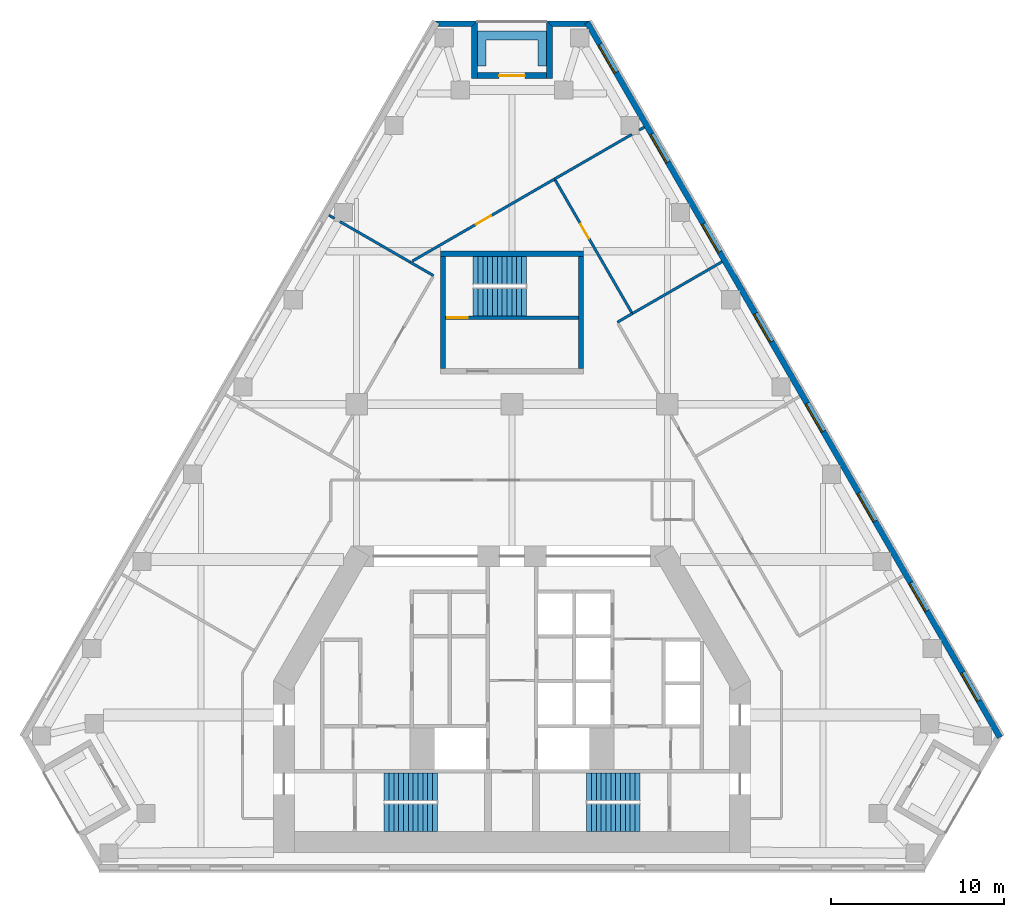
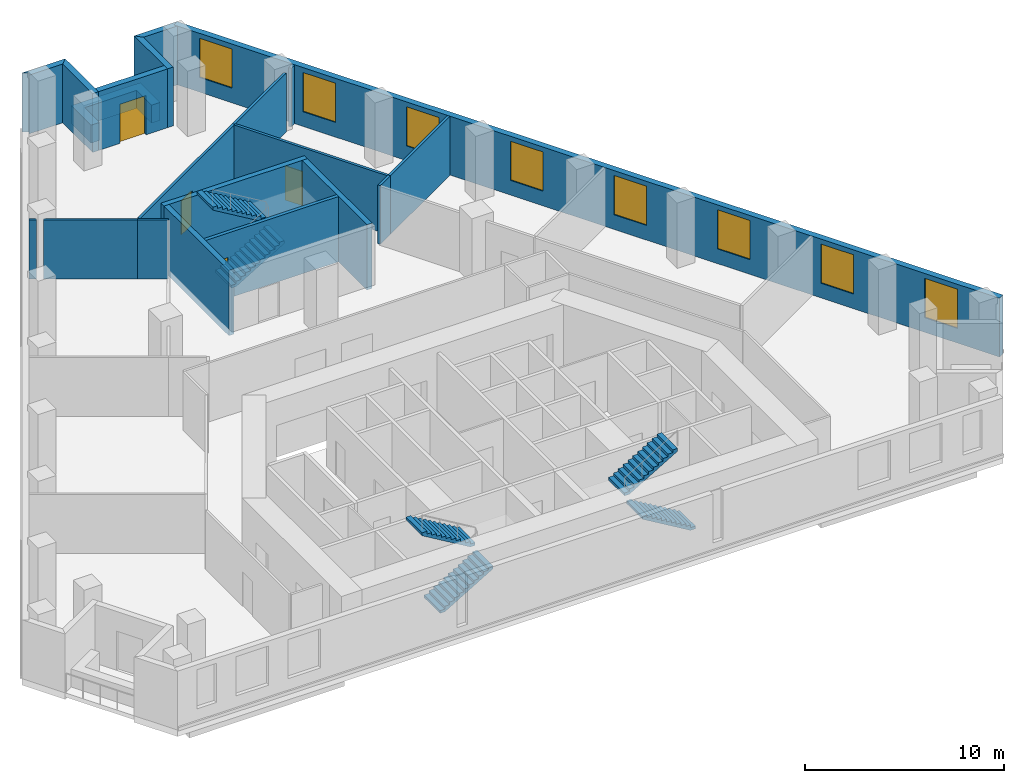
# One storey, part 6 of 7: 20 walls, 8 windows, 6 stair flights, 4 doors, 12 openings, 3 elements without a shape of their own.
"""IFC4 building model written with IfcOpenShell, lengths in metres."""

from ifc_helpers import new_model, si_unit, direction, frame, frame_2d, origin, place, context, subcontext, project, spatial, polyline, rectangle, outline, extrude, material, layer, layer_set, type_object, element, fill, aggregate, save


model = new_model("IFC4")

# Units and contexts
model_context = context("Model", 3, precision=1e-05, world=origin(), true_north=direction((0.0, 1.0)))
body_context = subcontext(model_context, "Body", "Model", "MODEL_VIEW")
ifc_project = project(units=[si_unit("LENGTHUNIT", "METRE"), si_unit("AREAUNIT", "SQUARE_METRE"), si_unit("VOLUMEUNIT", "CUBIC_METRE"), si_unit("PLANEANGLEUNIT", "RADIAN"), si_unit("MASSUNIT", "GRAM", prefix="KILO")], contexts=[model_context])

# Site, building, storey
site_placement = place(None, origin())
site = spatial("IfcSite", under=ifc_project, at=site_placement, CompositionType="ELEMENT")
building_placement = place(site_placement, origin())
building = spatial("IfcBuilding", under=site, at=building_placement, Name="Fogline Exchange Tower", CompositionType="ELEMENT")
storey_placement = place(building_placement, frame((0.0, 0.0, 166.89990234375)))
storey = spatial("IfcBuildingStorey", under=building, at=storey_placement, Name="L37", CompositionType="ELEMENT", Elevation=166.89990234375)

# Wall, opening, door
ifc_material_1 = material(Name="Concrete C40", Category="concrete")
ifc_layer_1 = layer(ifc_material_1, 0.199951171875)
ifc_layer_set_1 = layer_set([ifc_layer_1], Name="CW20R")
wall_type_1 = type_object("IfcWallType", Name="CW20R", PredefinedType="SOLIDWALL", material=ifc_layer_set_1)
wall_1_placement = place(storey_placement, frame((-3.85009765625, 32.007080078125, -0.39990234375), z_axis=(0.0, 0.0, 1.0), x_axis=(1.0, 0.0, 0.0)))
wall_1 = element("IfcWall", 1, at=wall_1_placement, inside=storey, type_object=wall_type_1, Name="Stair enclosure wall ST3", PredefinedType="SOLIDWALL", context=body_context, shape_type="SweptSolid", body=[
    extrude(rectangle(XDim=7.7001953125, YDim=0.199951171875, at=frame_2d((3.85009765625, 0.0))), origin(), (0.0, 0.0, 1.0), 4.0),
])
opening_1_placement = place(wall_1_placement, frame((0.10009765625, 0.0, 0.39990234375)))
opening_1 = element("IfcOpeningElement", 2, at=opening_1_placement, cuts=wall_1, Name="Opening T12-C024", PredefinedType="OPENING", context=body_context, shape_type="SweptSolid", body=[
    extrude(rectangle(XDim=1.199951171875, YDim=2.10009765625, at=frame_2d((0.60009765625, 1.050048828125))), frame((0.0, 0.10986328125, 0.0), z_axis=(0.0, -1.0, 0.0), x_axis=(1.0, 0.0, 0.0)), (0.0, 0.0, 1.0), 0.219970703125),
])
ifc_material_2 = material(Name="Steel and timber fire door", Category="steel")
door_type_1 = type_object("IfcDoorType", Name="D-ST1", OperationType="SINGLE_SWING_LEFT", PredefinedType="DOOR", material=ifc_material_2)
door_1_placement = place(opening_1_placement, origin())
door_1 = element("IfcDoor", 3, at=door_1_placement, inside=storey, type_object=door_type_1, Name="Stair door ST3", OperationType="SINGLE_SWING_LEFT", OverallHeight=2.10009765625, OverallWidth=1.199951171875, PredefinedType="DOOR", context=body_context, shape_type="SweptSolid", body=[
    extrude(rectangle(XDim=1.199951171875, YDim=2.10009765625, at=frame_2d((0.60009765625, 1.050048828125))), frame((0.0, 0.02490234375, 0.0), z_axis=(0.0, -1.0, 0.0), x_axis=(1.0, 0.0, 0.0)), (0.0, 0.0, 1.0), 0.050048828125),
])
fill(opening_1, door_1)

# Walls
ifc_layer_2 = layer(ifc_material_1, 0.300048828125)
ifc_layer_set_2 = layer_set([ifc_layer_2], Name="CW30")
wall_type_2 = type_object("IfcWallType", Name="CW30", PredefinedType="SOLIDWALL", material=ifc_layer_set_2)
wall_2_placement = place(storey_placement, frame((-4.14990234375, 35.70703125, -0.39990234375), z_axis=(0.0, 0.0, 1.0), x_axis=(1.0, 0.0, 0.0)))
element("IfcWall", 4, at=wall_2_placement, inside=storey, type_object=wall_type_2, Name="Stair enclosure wall ST3", PredefinedType="SOLIDWALL", context=body_context, shape_type="SweptSolid", body=[
    extrude(rectangle(XDim=8.2998046875, YDim=0.300048828125, at=frame_2d((4.14990234375, 0.0))), origin(), (0.0, 0.0, 1.0), 4.0),
])
for number, where, z_axis, x_axis, name in (
    (5, (-4.0, 29.056884765625, -0.39990234375), (0.0, 0.0, 1.0), (0.0, 1.0, 0.0), "Stair enclosure wall ST3"),
    (6, (4.0, 29.056884765625, -0.39990234375), (0.0, 0.0, 1.0), (0.0, 1.0, 0.0), "Stair enclosure wall ST3"),
):
    element("IfcWall", number, at=place(storey_placement, frame(where, z_axis=z_axis, x_axis=x_axis)), inside=storey, type_object=wall_type_2, Name=name, PredefinedType="SOLIDWALL", context=body_context, shape_type="SweptSolid", body=[
        extrude(rectangle(XDim=6.5, YDim=0.300048828125, at=frame_2d((3.25, 0.0))), origin(), (0.0, 0.0, 1.0), 4.0),
    ])

# Wall, openings, windows
ifc_material_3 = material(Name="Brick masonry", Category="masonry")
ifc_layer_3 = layer(ifc_material_3, 0.340087890625)
ifc_layer_set_3 = layer_set([ifc_layer_3], Name="FW1")
wall_type_3 = type_object("IfcWallType", Name="FW1", PredefinedType="SOLIDWALL", material=ifc_layer_set_3)
wall_3_placement = place(storey_placement, frame((28.256591796875, 7.709228515625, 0.0), z_axis=(0.0, 0.0, 1.0), x_axis=(-0.500002420408, 0.866024006357, 0.0)))
wall_3 = element("IfcWall", 7, at=wall_3_placement, inside=storey, type_object=wall_type_3, Name="Brick wall L37 E", PredefinedType="SOLIDWALL", context=body_context, shape_type="SweptSolid", body=[
    extrude(rectangle(XDim=47.807373046875, YDim=0.340087890625, at=frame_2d((23.90380859375, 0.0))), origin(), (0.0, 0.0, 1.0), 3.60009765625),
])
opening_2_placement = place(wall_3_placement, frame((2.451904296875, 0.0, 0.89990234375)))
opening_2 = element("IfcOpeningElement", 8, at=opening_2_placement, cuts=wall_3, Name="Opening W1", PredefinedType="OPENING", context=body_context, shape_type="SweptSolid", body=[
    extrude(rectangle(XDim=1.885009765625, YDim=2.39990234375, at=frame_2d((0.9423828125, 1.199951171875))), frame((0.0, 0.18017578125, 0.0), z_axis=(0.0, -1.0, 0.0), x_axis=(1.0, 0.0, 0.0)), (0.0, 0.0, 1.0), 0.360107421875),
])
opening_3_placement = place(wall_3_placement, frame((8.451904296875, 0.0, 0.89990234375)))
opening_3 = element("IfcOpeningElement", 9, at=opening_3_placement, cuts=wall_3, Name="Opening W1", PredefinedType="OPENING", context=body_context, shape_type="SweptSolid", body=[
    extrude(rectangle(XDim=1.885009765625, YDim=2.39990234375, at=frame_2d((0.9423828125, 1.199951171875))), frame((0.0, 0.18017578125, 0.0), z_axis=(0.0, -1.0, 0.0), x_axis=(1.0, 0.0, 0.0)), (0.0, 0.0, 1.0), 0.360107421875),
])
opening_4_placement = place(wall_3_placement, frame((14.451904296875, 0.0, 0.89990234375)))
opening_4 = element("IfcOpeningElement", 10, at=opening_4_placement, cuts=wall_3, Name="Opening W1", PredefinedType="OPENING", context=body_context, shape_type="SweptSolid", body=[
    extrude(rectangle(XDim=1.885009765625, YDim=2.39990234375, at=frame_2d((0.9423828125, 1.199951171875))), frame((0.0, 0.18017578125, 0.0), z_axis=(0.0, -1.0, 0.0), x_axis=(1.0, 0.0, 0.0)), (0.0, 0.0, 1.0), 0.360107421875),
])
opening_5_placement = place(wall_3_placement, frame((20.451904296875, 0.0, 0.89990234375)))
opening_5 = element("IfcOpeningElement", 11, at=opening_5_placement, cuts=wall_3, Name="Opening W1", PredefinedType="OPENING", context=body_context, shape_type="SweptSolid", body=[
    extrude(rectangle(XDim=1.885009765625, YDim=2.39990234375, at=frame_2d((0.9423828125, 1.199951171875))), frame((0.0, 0.18017578125, 0.0), z_axis=(0.0, -1.0, 0.0), x_axis=(1.0, 0.0, 0.0)), (0.0, 0.0, 1.0), 0.360107421875),
])
opening_6_placement = place(wall_3_placement, frame((26.451904296875, 0.0, 0.89990234375)))
opening_6 = element("IfcOpeningElement", 12, at=opening_6_placement, cuts=wall_3, Name="Opening W1", PredefinedType="OPENING", context=body_context, shape_type="SweptSolid", body=[
    extrude(rectangle(XDim=1.885009765625, YDim=2.39990234375, at=frame_2d((0.9423828125, 1.199951171875))), frame((0.0, 0.18017578125, 0.0), z_axis=(0.0, -1.0, 0.0), x_axis=(1.0, 0.0, 0.0)), (0.0, 0.0, 1.0), 0.360107421875),
])
opening_7_placement = place(wall_3_placement, frame((32.451904296875, 0.0, 0.89990234375)))
opening_7 = element("IfcOpeningElement", 13, at=opening_7_placement, cuts=wall_3, Name="Opening W1", PredefinedType="OPENING", context=body_context, shape_type="SweptSolid", body=[
    extrude(rectangle(XDim=1.885009765625, YDim=2.39990234375, at=frame_2d((0.9423828125, 1.199951171875))), frame((0.0, 0.18017578125, 0.0), z_axis=(0.0, -1.0, 0.0), x_axis=(1.0, 0.0, 0.0)), (0.0, 0.0, 1.0), 0.360107421875),
])
opening_8_placement = place(wall_3_placement, frame((38.451904296875, 0.0, 0.89990234375)))
opening_8 = element("IfcOpeningElement", 14, at=opening_8_placement, cuts=wall_3, Name="Opening W1", PredefinedType="OPENING", context=body_context, shape_type="SweptSolid", body=[
    extrude(rectangle(XDim=1.885009765625, YDim=2.39990234375, at=frame_2d((0.9423828125, 1.199951171875))), frame((0.0, 0.18017578125, 0.0), z_axis=(0.0, -1.0, 0.0), x_axis=(1.0, 0.0, 0.0)), (0.0, 0.0, 1.0), 0.360107421875),
])
opening_9_placement = place(wall_3_placement, frame((44.451904296875, 0.0, 0.89990234375)))
opening_9 = element("IfcOpeningElement", 15, at=opening_9_placement, cuts=wall_3, Name="Opening W1", PredefinedType="OPENING", context=body_context, shape_type="SweptSolid", body=[
    extrude(rectangle(XDim=1.885009765625, YDim=2.39990234375, at=frame_2d((0.9423828125, 1.199951171875))), frame((0.0, 0.18017578125, 0.0), z_axis=(0.0, -1.0, 0.0), x_axis=(1.0, 0.0, 0.0)), (0.0, 0.0, 1.0), 0.360107421875),
])
ifc_material_4 = material(Name="Aluminium and glass", Category="aluminium")
window_type = type_object("IfcWindowType", Name="W1", PartitioningType="SINGLE_PANEL", PredefinedType="WINDOW", material=ifc_material_4)
window_1_placement = place(opening_2_placement, origin())
window_1 = element("IfcWindow", 16, at=window_1_placement, inside=storey, type_object=window_type, Name="W1 W1", OverallHeight=2.39990234375, OverallWidth=1.885009765625, PartitioningType="SINGLE_PANEL", PredefinedType="WINDOW", context=body_context, shape_type="SweptSolid", body=[
    extrude(rectangle(XDim=1.885009765625, YDim=2.39990234375, at=frame_2d((0.9423828125, 1.199951171875))), frame((0.0, 0.110107421875, 0.0), z_axis=(0.0, -1.0, 0.0), x_axis=(1.0, 0.0, 0.0)), (0.0, 0.0, 1.0), 0.06005859375),
])
fill(opening_2, window_1)
window_2_placement = place(opening_3_placement, origin())
window_2 = element("IfcWindow", 17, at=window_2_placement, inside=storey, type_object=window_type, Name="W1 W1", OverallHeight=2.39990234375, OverallWidth=1.885009765625, PartitioningType="SINGLE_PANEL", PredefinedType="WINDOW", context=body_context, shape_type="SweptSolid", body=[
    extrude(rectangle(XDim=1.885009765625, YDim=2.39990234375, at=frame_2d((0.9423828125, 1.199951171875))), frame((0.0, 0.110107421875, 0.0), z_axis=(0.0, -1.0, 0.0), x_axis=(1.0, 0.0, 0.0)), (0.0, 0.0, 1.0), 0.06005859375),
])
fill(opening_3, window_2)
window_3_placement = place(opening_4_placement, origin())
window_3 = element("IfcWindow", 18, at=window_3_placement, inside=storey, type_object=window_type, Name="W1 W1", OverallHeight=2.39990234375, OverallWidth=1.885009765625, PartitioningType="SINGLE_PANEL", PredefinedType="WINDOW", context=body_context, shape_type="SweptSolid", body=[
    extrude(rectangle(XDim=1.885009765625, YDim=2.39990234375, at=frame_2d((0.9423828125, 1.199951171875))), frame((0.0, 0.110107421875, 0.0), z_axis=(0.0, -1.0, 0.0), x_axis=(1.0, 0.0, 0.0)), (0.0, 0.0, 1.0), 0.06005859375),
])
fill(opening_4, window_3)
window_4_placement = place(opening_5_placement, origin())
window_4 = element("IfcWindow", 19, at=window_4_placement, inside=storey, type_object=window_type, Name="W1 W1", OverallHeight=2.39990234375, OverallWidth=1.885009765625, PartitioningType="SINGLE_PANEL", PredefinedType="WINDOW", context=body_context, shape_type="SweptSolid", body=[
    extrude(rectangle(XDim=1.885009765625, YDim=2.39990234375, at=frame_2d((0.9423828125, 1.199951171875))), frame((0.0, 0.110107421875, 0.0), z_axis=(0.0, -1.0, 0.0), x_axis=(1.0, 0.0, 0.0)), (0.0, 0.0, 1.0), 0.06005859375),
])
fill(opening_5, window_4)
window_5_placement = place(opening_6_placement, origin())
window_5 = element("IfcWindow", 20, at=window_5_placement, inside=storey, type_object=window_type, Name="W1 W1", OverallHeight=2.39990234375, OverallWidth=1.885009765625, PartitioningType="SINGLE_PANEL", PredefinedType="WINDOW", context=body_context, shape_type="SweptSolid", body=[
    extrude(rectangle(XDim=1.885009765625, YDim=2.39990234375, at=frame_2d((0.9423828125, 1.199951171875))), frame((0.0, 0.110107421875, 0.0), z_axis=(0.0, -1.0, 0.0), x_axis=(1.0, 0.0, 0.0)), (0.0, 0.0, 1.0), 0.06005859375),
])
fill(opening_6, window_5)
window_6_placement = place(opening_7_placement, origin())
window_6 = element("IfcWindow", 21, at=window_6_placement, inside=storey, type_object=window_type, Name="W1 W1", OverallHeight=2.39990234375, OverallWidth=1.885009765625, PartitioningType="SINGLE_PANEL", PredefinedType="WINDOW", context=body_context, shape_type="SweptSolid", body=[
    extrude(rectangle(XDim=1.885009765625, YDim=2.39990234375, at=frame_2d((0.9423828125, 1.199951171875))), frame((0.0, 0.110107421875, 0.0), z_axis=(0.0, -1.0, 0.0), x_axis=(1.0, 0.0, 0.0)), (0.0, 0.0, 1.0), 0.06005859375),
])
fill(opening_7, window_6)
window_7_placement = place(opening_8_placement, origin())
window_7 = element("IfcWindow", 22, at=window_7_placement, inside=storey, type_object=window_type, Name="W1 W1", OverallHeight=2.39990234375, OverallWidth=1.885009765625, PartitioningType="SINGLE_PANEL", PredefinedType="WINDOW", context=body_context, shape_type="SweptSolid", body=[
    extrude(rectangle(XDim=1.885009765625, YDim=2.39990234375, at=frame_2d((0.9423828125, 1.199951171875))), frame((0.0, 0.110107421875, 0.0), z_axis=(0.0, -1.0, 0.0), x_axis=(1.0, 0.0, 0.0)), (0.0, 0.0, 1.0), 0.06005859375),
])
fill(opening_8, window_7)
window_8_placement = place(opening_9_placement, origin())
window_8 = element("IfcWindow", 23, at=window_8_placement, inside=storey, type_object=window_type, Name="W1 W1", OverallHeight=2.39990234375, OverallWidth=1.885009765625, PartitioningType="SINGLE_PANEL", PredefinedType="WINDOW", context=body_context, shape_type="SweptSolid", body=[
    extrude(rectangle(XDim=1.885009765625, YDim=2.39990234375, at=frame_2d((0.9423828125, 1.199951171875))), frame((0.0, 0.110107421875, 0.0), z_axis=(0.0, -1.0, 0.0), x_axis=(1.0, 0.0, 0.0)), (0.0, 0.0, 1.0), 0.06005859375),
])
fill(opening_9, window_8)

# Walls
wall_4_placement = place(storey_placement, origin())
element("IfcWall", 24, at=wall_4_placement, inside=storey, type_object=wall_type_3, Name="Brick wall L37 N-c1", PredefinedType="SOLIDWALL", context=body_context, shape_type="SweptSolid", body=[
    extrude(outline(polyline([(1.9990234375, 49.197265625), (4.5009765625, 49.197265625), (4.501220703125, 49.19677734375), (4.206298828125, 49.0263671875), (4.3046875, 48.85595703125), (2.33984375, 48.85595703125), (1.998779296875, 49.197021484375), (1.9990234375, 49.197265625)])), origin(), (0.0, 0.0, 1.0), 3.60009765625),
])
wall_5_placement = place(storey_placement, origin())
element("IfcWall", 25, at=wall_5_placement, inside=storey, type_object=wall_type_3, Name="Brick wall L37 N-s1", PredefinedType="SOLIDWALL", context=body_context, shape_type="SweptSolid", body=[
    extrude(outline(polyline([(2.340576171875, 45.85595703125), (1.99951171875, 45.85595703125), (1.99951171875, 49.19775390625), (1.999755859375, 49.19775390625), (2.340576171875, 48.85693359375), (2.340576171875, 45.85595703125)])), origin(), (0.0, 0.0, 1.0), 3.60009765625),
])

# Wall, opening, door
wall_6_placement = place(storey_placement, frame((2.0, 46.026611328125, 0.0), z_axis=(0.0, 0.0, 1.0), x_axis=(-1.0, 0.0, 0.0)))
wall_6 = element("IfcWall", 26, at=wall_6_placement, inside=storey, type_object=wall_type_3, Name="Brick wall L37 N-bk", PredefinedType="SOLIDWALL", context=body_context, shape_type="SweptSolid", body=[
    extrude(rectangle(XDim=4.0, YDim=0.340087890625, at=frame_2d((2.0, 0.0))), origin(), (0.0, 0.0, 1.0), 3.60009765625),
])
opening_10_placement = place(wall_6_placement, frame((1.25, 0.0, 0.0)))
opening_10 = element("IfcOpeningElement", 27, at=opening_10_placement, cuts=wall_6, Name="Opening T12-E141", PredefinedType="OPENING", context=body_context, shape_type="SweptSolid", body=[
    extrude(rectangle(XDim=1.5, YDim=2.39990234375, at=frame_2d((0.75, 1.199951171875))), frame((0.0, 0.18017578125, 0.0), z_axis=(0.0, -1.0, 0.0), x_axis=(1.0, 0.0, 0.0)), (0.0, 0.0, 1.0), 0.360107421875),
])
door_type_2 = type_object("IfcDoorType", Name="ED4", OperationType="SINGLE_SWING_LEFT", PredefinedType="DOOR", material=ifc_material_4)
door_2_placement = place(opening_10_placement, frame((1.5, 0.0, 0.0), z_axis=(0.0, 0.0, 1.0), x_axis=(-1.0, 0.0, 0.0)))
door_2 = element("IfcDoor", 28, at=door_2_placement, inside=storey, type_object=door_type_2, Name="Balcony door L37 N", OperationType="DOUBLE_DOOR_SINGLE_SWING", OverallHeight=2.39990234375, OverallWidth=1.5, PredefinedType="DOOR", context=body_context, shape_type="SweptSolid", body=[
    extrude(rectangle(XDim=1.5, YDim=2.39990234375, at=frame_2d((0.75, 1.199951171875))), frame((0.0, 0.02490234375, 0.0), z_axis=(0.0, -1.0, 0.0), x_axis=(1.0, 0.0, 0.0)), (0.0, 0.0, 1.0), 0.050048828125),
])
fill(opening_10, door_2)

# Walls
wall_7_placement = place(storey_placement, origin())
element("IfcWall", 29, at=wall_7_placement, inside=storey, type_object=wall_type_3, Name="Brick wall L37 N-s2", PredefinedType="SOLIDWALL", context=body_context, shape_type="SweptSolid", body=[
    extrude(outline(polyline([(-1.99951171875, 49.19775390625), (-1.99951171875, 45.85595703125), (-2.340576171875, 45.85595703125), (-2.340576171875, 48.85693359375), (-1.999755859375, 49.19775390625), (-1.99951171875, 49.19775390625)])), origin(), (0.0, 0.0, 1.0), 3.60009765625),
])
wall_8_placement = place(storey_placement, origin())
element("IfcWall", 30, at=wall_8_placement, inside=storey, type_object=wall_type_3, Name="Brick wall L37 N-c2", PredefinedType="SOLIDWALL", context=body_context, shape_type="SweptSolid", body=[
    extrude(outline(polyline([(-4.3046875, 48.85595703125), (-4.206298828125, 49.0263671875), (-4.501220703125, 49.19677734375), (-4.5009765625, 49.197265625), (-1.9990234375, 49.197265625), (-1.998779296875, 49.197021484375), (-2.33984375, 48.85595703125), (-4.3046875, 48.85595703125)])), origin(), (0.0, 0.0, 1.0), 3.60009765625),
])
ifc_material_5 = material(Name="Concrete C30", Category="concrete")
ifc_layer_4 = layer(ifc_material_5, 0.199951171875)
ifc_layer_set_4 = layer_set([ifc_layer_4], Name="PL1")
wall_type_4 = type_object("IfcWallType", Name="PL1", PredefinedType="USERDEFINED", material=ifc_layer_set_4)
wall_9_placement = place(storey_placement, origin())
element("IfcWall", 31, at=wall_9_placement, inside=storey, type_object=wall_type_4, Name="PLANTER balcony L37 N", ObjectType="PLANTER", PredefinedType="USERDEFINED", context=body_context, shape_type="SweptSolid", body=[
    extrude(outline(polyline([(-1.5, 48.5966796875), (-2.0, 48.5966796875), (-2.0, 48.0966796875), (-2.0, 46.5966796875), (-1.5, 46.5966796875), (-1.5, 48.0966796875), (1.5, 48.0966796875), (1.5, 46.5966796875), (2.0, 46.5966796875), (2.0, 48.0966796875), (2.0, 48.5966796875), (1.5, 48.5966796875), (-1.5, 48.5966796875)])), origin(), (0.0, 0.0, 1.0), 1.10009765625),
])
ifc_material_6 = material(Name="Plasterboard demising partition with mineral wool and acoustic board")
ifc_layer_5 = layer(ifc_material_6, 0.14990234375)
ifc_layer_set_5 = layer_set([ifc_layer_5], Name="PW3")
wall_type_5 = type_object("IfcWallType", Name="PW3", PredefinedType="PARTITIONING", material=ifc_layer_set_5)
wall_10_placement = place(storey_placement, frame((6.9658203125, 32.24560546875, 0.0), z_axis=(0.0, 0.0, 1.0), x_axis=(0.866031096941, 0.499990139034, 0.0)))
element("IfcWall", 32, at=wall_10_placement, inside=storey, type_object=wall_type_5, Name="wall-L37-W018", PredefinedType="PARTITIONING", context=body_context, shape_type="SweptSolid", body=[
    extrude(rectangle(XDim=6.0, YDim=0.14990234375, at=frame_2d((3.0, 0.0))), origin(), (0.0, 0.0, 1.0), 3.60009765625),
])
wall_11_placement = place(storey_placement, frame((6.099853515625, 31.74560546875, 0.0), z_axis=(0.0, 0.0, 1.0), x_axis=(0.866010750942, 0.50002537861, 0.0)))
element("IfcWall", 33, at=wall_11_placement, inside=storey, type_object=wall_type_5, Name="wall-L37-W021", PredefinedType="PARTITIONING", context=body_context, shape_type="SweptSolid", body=[
    extrude(rectangle(XDim=1.0, YDim=0.14990234375, at=frame_2d((0.5, 0.0))), origin(), (0.0, 0.0, 1.0), 3.60009765625),
])
wall_12_placement = place(storey_placement, frame((2.4658203125, 40.039794921875, 0.0), z_axis=(0.0, 0.0, 1.0), x_axis=(0.866028888221, 0.499993964731, 0.0)))
element("IfcWall", 34, at=wall_12_placement, inside=storey, type_object=wall_type_5, Name="wall-L37-W022", PredefinedType="PARTITIONING", context=body_context, shape_type="SweptSolid", body=[
    extrude(rectangle(XDim=5.1630859375, YDim=0.14990234375, at=frame_2d((2.58154296875, 0.0))), origin(), (0.0, 0.0, 1.0), 3.60009765625),
])
wall_13_placement = place(storey_placement, frame((7.36328125, 42.867431640625, 0.0), z_axis=(0.0, 0.0, 1.0), x_axis=(0.866232710263, 0.499640762619, 0.0)))
element("IfcWall", 35, at=wall_13_placement, inside=storey, type_object=wall_type_5, Name="wall-L37-W023", PredefinedType="PARTITIONING", context=body_context, shape_type="SweptSolid", body=[
    extrude(rectangle(XDim=0.344970703125, YDim=0.14990234375, at=frame_2d((0.17236328125, 0.0))), origin(), (0.0, 0.0, 1.0), 3.60009765625),
])

# Wall, opening, door
wall_14_placement = place(storey_placement, frame((6.928466796875, 32.310546875, 0.0), z_axis=(0.0, 0.0, 1.0), x_axis=(-0.500005027614, 0.86602250107, 0.0)))
wall_14 = element("IfcWall", 36, at=wall_14_placement, inside=storey, type_object=wall_type_5, Name="wall-L37-W024", PredefinedType="PARTITIONING", context=body_context, shape_type="SweptSolid", body=[
    extrude(rectangle(XDim=8.85009765625, YDim=0.14990234375, at=frame_2d((4.425048828125, 0.0))), origin(), (0.0, 0.0, 1.0), 3.60009765625),
])
opening_11_placement = place(wall_14_placement, frame((4.92724609375, 0.0, 0.0)))
opening_11 = element("IfcOpeningElement", 37, at=opening_11_placement, cuts=wall_14, Name="Opening T12-D009", PredefinedType="OPENING", context=body_context, shape_type="SweptSolid", body=[
    extrude(rectangle(XDim=1.0, YDim=2.10009765625, at=frame_2d((0.5, 1.050048828125))), frame((0.0, 0.0849609375, 0.0), z_axis=(0.0, -1.0, 0.0), x_axis=(1.0, 0.0, 0.0)), (0.0, 0.0, 1.0), 0.169921875),
])
ifc_material_7 = material(Name="Fire-rated timber door leaf with steel frame", Category="steel")
door_type_3 = type_object("IfcDoorType", Name="D3", OperationType="SINGLE_SWING_LEFT", PredefinedType="DOOR", material=ifc_material_7)
door_3_placement = place(opening_11_placement, frame((1.0, 0.0, 0.0), z_axis=(0.0, 0.0, 1.0), x_axis=(-1.0, 0.0, 0.0)))
door_3 = element("IfcDoor", 38, at=door_3_placement, inside=storey, type_object=door_type_3, Name="door-L37-D009", OperationType="SINGLE_SWING_LEFT", OverallHeight=2.10009765625, OverallWidth=1.0, PredefinedType="DOOR", context=body_context, shape_type="SweptSolid", body=[
    extrude(rectangle(XDim=1.0, YDim=2.10009765625, at=frame_2d((0.5, 1.050048828125))), frame((0.0, 0.02490234375, 0.0), z_axis=(0.0, -1.0, 0.0), x_axis=(1.0, 0.0, 0.0)), (0.0, 0.0, 1.0), 0.050048828125),
])
fill(opening_11, door_3)

# Walls
wall_15_placement = place(storey_placement, frame((-5.885009765625, 35.218505859375, 0.0), z_axis=(0.0, 0.0, 1.0), x_axis=(-0.866037835763, 0.499978466563, 0.0)))
element("IfcWall", 39, at=wall_15_placement, inside=storey, type_object=wall_type_5, Name="wall-L37-W025", PredefinedType="PARTITIONING", context=body_context, shape_type="SweptSolid", body=[
    extrude(rectangle(XDim=4.705322265625, YDim=0.14990234375, at=frame_2d((2.3525390625, 0.0))), origin(), (0.0, 0.0, 1.0), 3.60009765625),
])
wall_16_placement = place(storey_placement, frame((-10.279296875, 37.75537109375, 0.0), z_axis=(0.0, 0.0, 1.0), x_axis=(-0.86603400694, 0.499985098601, 0.0)))
element("IfcWall", 40, at=wall_16_placement, inside=storey, type_object=wall_type_5, Name="wall-L37-W026", PredefinedType="PARTITIONING", context=body_context, shape_type="SweptSolid", body=[
    extrude(rectangle(XDim=0.37548828125, YDim=0.14990234375, at=frame_2d((0.187744140625, 0.0))), origin(), (0.0, 0.0, 1.0), 3.60009765625),
])

# Wall, opening, door
wall_17_placement = place(storey_placement, frame((2.4658203125, 40.039794921875, 0.0), z_axis=(0.0, 0.0, 1.0), x_axis=(-0.866031295356, -0.49998979536, 0.0)))
wall_17 = element("IfcWall", 41, at=wall_17_placement, inside=storey, type_object=wall_type_5, Name="wall-L37-W027", PredefinedType="PARTITIONING", context=body_context, shape_type="SweptSolid", body=[
    extrude(rectangle(XDim=9.512451171875, YDim=0.14990234375, at=frame_2d((4.75634765625, 0.0))), origin(), (0.0, 0.0, 1.0), 3.60009765625),
])
opening_12_placement = place(wall_17_placement, frame((4.256103515625, 0.0, 0.0)))
opening_12 = element("IfcOpeningElement", 42, at=opening_12_placement, cuts=wall_17, Name="Opening T12-D010", PredefinedType="OPENING", context=body_context, shape_type="SweptSolid", body=[
    extrude(rectangle(XDim=1.0, YDim=2.10009765625, at=frame_2d((0.5, 1.050048828125))), frame((0.0, 0.0849609375, 0.0), z_axis=(0.0, -1.0, 0.0), x_axis=(1.0, 0.0, 0.0)), (0.0, 0.0, 1.0), 0.169921875),
])
door_4_placement = place(opening_12_placement, frame((1.0, 0.0, 0.0), z_axis=(0.0, 0.0, 1.0), x_axis=(-1.0, 0.0, 0.0)))
door_4 = element("IfcDoor", 43, at=door_4_placement, inside=storey, type_object=door_type_3, Name="door-L37-D010", OperationType="SINGLE_SWING_RIGHT", OverallHeight=2.10009765625, OverallWidth=1.0, PredefinedType="DOOR", context=body_context, shape_type="SweptSolid", body=[
    extrude(rectangle(XDim=1.0, YDim=2.10009765625, at=frame_2d((0.5, 1.050048828125))), frame((0.0, 0.02490234375, 0.0), z_axis=(0.0, -1.0, 0.0), x_axis=(1.0, 0.0, 0.0)), (0.0, 0.0, 1.0), 0.050048828125),
])
fill(opening_12, door_4)

# Wall
wall_18_placement = place(storey_placement, frame((-5.885009765625, 35.218505859375, 0.0), z_axis=(0.0, 0.0, 1.0), x_axis=(0.86594691757, -0.500135917477, 0.0)))
element("IfcWall", 44, at=wall_18_placement, inside=storey, type_object=wall_type_5, Name="wall-L37-W029", PredefinedType="PARTITIONING", context=body_context, shape_type="SweptSolid", body=[
    extrude(rectangle(XDim=1.55029296875, YDim=0.14990234375, at=frame_2d((0.775146484375, 0.0))), origin(), (0.0, 0.0, 1.0), 3.60009765625),
])

# Stair, stair flights
stair_type = type_object("IfcStairType", Name="STR24-1667", PredefinedType="HALF_TURN_STAIR", material=ifc_material_1)
stair_1_placement = place(storey_placement, origin())
stair_1 = element("IfcStair", 45, at=stair_1_placement, inside=storey, type_object=stair_type, Name="Stair ST1", PredefinedType="HALF_TURN_STAIR")
stair_flight_type = type_object("IfcStairFlightType", Name="SF12-1667", PredefinedType="STRAIGHT", material=ifc_material_1)
stair_flight_1_placement = place(storey_placement, frame((-7.39990234375, 3.050048828125, 0.0), z_axis=(0.0, 0.0, 1.0), x_axis=(1.0, 0.0, 0.0)))
stair_flight_1 = element("IfcStairFlight", 46, at=stair_flight_1_placement, type_object=stair_flight_type, Name="ST1 flight 1", NumberOfRisers=12, NumberOfTreads=11, PredefinedType="STRAIGHT", RiserHeight=0.166666667, TreadLength=0.28, context=body_context, shape_type="SweptSolid", body=[
    extrude(outline(polyline([(0.0, 0.0), (0.0, 0.166748046875), (0.280029296875, 0.166748046875), (0.280029296875, 0.333251953125), (0.56005859375, 0.333251953125), (0.56005859375, 0.5), (0.840087890625, 0.5), (0.840087890625, 0.666748046875), (1.1201171875, 0.666748046875), (1.1201171875, 0.833251953125), (1.39990234375, 0.833251953125), (1.39990234375, 1.0), (1.679931640625, 1.0), (1.679931640625, 1.166748046875), (1.9599609375, 1.166748046875), (1.9599609375, 1.333251953125), (2.239990234375, 1.333251953125), (2.239990234375, 1.5), (2.52001953125, 1.5), (2.52001953125, 1.666748046875), (2.800048828125, 1.666748046875), (2.800048828125, 1.833251953125), (3.080078125, 1.833251953125), (3.080078125, 2.0), (3.080078125, 1.658935546875), (0.29296875, 0.0), (0.0, 0.0)])), frame((0.0, 0.800048828125, 0.0), z_axis=(0.0, -1.0, 0.0), x_axis=(1.0, 0.0, 0.0)), (0.0, 0.0, 1.0), 1.60009765625),
])
stair_flight_2_placement = place(storey_placement, frame((-4.320068359375, 4.85009765625, 2.0), z_axis=(0.0, 0.0, 1.0), x_axis=(-1.0, 0.0, 0.0)))
stair_flight_2 = element("IfcStairFlight", 47, at=stair_flight_2_placement, type_object=stair_flight_type, Name="ST1 flight 2", NumberOfRisers=12, NumberOfTreads=11, PredefinedType="STRAIGHT", RiserHeight=0.166666667, TreadLength=0.28, context=body_context, shape_type="SweptSolid", body=[
    extrude(outline(polyline([(0.0, 0.0), (0.0, 0.166748046875), (0.280029296875, 0.166748046875), (0.280029296875, 0.333251953125), (0.56005859375, 0.333251953125), (0.56005859375, 0.5), (0.840087890625, 0.5), (0.840087890625, 0.666748046875), (1.1201171875, 0.666748046875), (1.1201171875, 0.833251953125), (1.39990234375, 0.833251953125), (1.39990234375, 1.0), (1.679931640625, 1.0), (1.679931640625, 1.166748046875), (1.9599609375, 1.166748046875), (1.9599609375, 1.333251953125), (2.239990234375, 1.333251953125), (2.239990234375, 1.5), (2.52001953125, 1.5), (2.52001953125, 1.666748046875), (2.800048828125, 1.666748046875), (2.800048828125, 1.833251953125), (3.080078125, 1.833251953125), (3.080078125, 2.0), (3.080078125, 1.658935546875), (0.29296875, 0.0), (0.0, 0.0)])), frame((0.0, 0.800048828125, 0.0), z_axis=(0.0, -1.0, 0.0), x_axis=(1.0, 0.0, 0.0)), (0.0, 0.0, 1.0), 1.60009765625),
])
aggregate(stair_1, [stair_flight_1, stair_flight_2])

stair_2_placement = place(storey_placement, origin())
stair_2 = element("IfcStair", 48, at=stair_2_placement, inside=storey, type_object=stair_type, Name="Stair ST2", PredefinedType="HALF_TURN_STAIR")
stair_flight_3_placement = place(storey_placement, frame((7.39990234375, 3.050048828125, 0.0), z_axis=(0.0, 0.0, 1.0), x_axis=(-1.0, 0.0, 0.0)))
stair_flight_3 = element("IfcStairFlight", 49, at=stair_flight_3_placement, type_object=stair_flight_type, Name="ST2 flight 1", NumberOfRisers=12, NumberOfTreads=11, PredefinedType="STRAIGHT", RiserHeight=0.166666667, TreadLength=0.28, context=body_context, shape_type="SweptSolid", body=[
    extrude(outline(polyline([(0.0, 0.0), (0.0, 0.166748046875), (0.280029296875, 0.166748046875), (0.280029296875, 0.333251953125), (0.56005859375, 0.333251953125), (0.56005859375, 0.5), (0.840087890625, 0.5), (0.840087890625, 0.666748046875), (1.1201171875, 0.666748046875), (1.1201171875, 0.833251953125), (1.39990234375, 0.833251953125), (1.39990234375, 1.0), (1.679931640625, 1.0), (1.679931640625, 1.166748046875), (1.9599609375, 1.166748046875), (1.9599609375, 1.333251953125), (2.239990234375, 1.333251953125), (2.239990234375, 1.5), (2.52001953125, 1.5), (2.52001953125, 1.666748046875), (2.800048828125, 1.666748046875), (2.800048828125, 1.833251953125), (3.080078125, 1.833251953125), (3.080078125, 2.0), (3.080078125, 1.658935546875), (0.29296875, 0.0), (0.0, 0.0)])), frame((0.0, 0.800048828125, 0.0), z_axis=(0.0, -1.0, 0.0), x_axis=(1.0, 0.0, 0.0)), (0.0, 0.0, 1.0), 1.60009765625),
])
stair_flight_4_placement = place(storey_placement, frame((4.320068359375, 4.85009765625, 2.0), z_axis=(0.0, 0.0, 1.0), x_axis=(1.0, 0.0, 0.0)))
stair_flight_4 = element("IfcStairFlight", 50, at=stair_flight_4_placement, type_object=stair_flight_type, Name="ST2 flight 2", NumberOfRisers=12, NumberOfTreads=11, PredefinedType="STRAIGHT", RiserHeight=0.166666667, TreadLength=0.28, context=body_context, shape_type="SweptSolid", body=[
    extrude(outline(polyline([(0.0, 0.0), (0.0, 0.166748046875), (0.280029296875, 0.166748046875), (0.280029296875, 0.333251953125), (0.56005859375, 0.333251953125), (0.56005859375, 0.5), (0.840087890625, 0.5), (0.840087890625, 0.666748046875), (1.1201171875, 0.666748046875), (1.1201171875, 0.833251953125), (1.39990234375, 0.833251953125), (1.39990234375, 1.0), (1.679931640625, 1.0), (1.679931640625, 1.166748046875), (1.9599609375, 1.166748046875), (1.9599609375, 1.333251953125), (2.239990234375, 1.333251953125), (2.239990234375, 1.5), (2.52001953125, 1.5), (2.52001953125, 1.666748046875), (2.800048828125, 1.666748046875), (2.800048828125, 1.833251953125), (3.080078125, 1.833251953125), (3.080078125, 2.0), (3.080078125, 1.658935546875), (0.29296875, 0.0), (0.0, 0.0)])), frame((0.0, 0.800048828125, 0.0), z_axis=(0.0, -1.0, 0.0), x_axis=(1.0, 0.0, 0.0)), (0.0, 0.0, 1.0), 1.60009765625),
])
aggregate(stair_2, [stair_flight_3, stair_flight_4])

stair_3_placement = place(storey_placement, origin())
stair_3 = element("IfcStair", 51, at=stair_3_placement, inside=storey, type_object=stair_type, Name="Stair ST3", PredefinedType="HALF_TURN_STAIR")
stair_flight_5_placement = place(storey_placement, frame((-2.25, 32.906982421875, 0.0), z_axis=(0.0, 0.0, 1.0), x_axis=(1.0, 0.0, 0.0)))
stair_flight_5 = element("IfcStairFlight", 52, at=stair_flight_5_placement, type_object=stair_flight_type, Name="ST3 flight 1", NumberOfRisers=12, NumberOfTreads=11, PredefinedType="STRAIGHT", RiserHeight=0.166666667, TreadLength=0.28, context=body_context, shape_type="SweptSolid", body=[
    extrude(outline(polyline([(0.0, 0.0), (0.0, 0.166748046875), (0.280029296875, 0.166748046875), (0.280029296875, 0.333251953125), (0.56005859375, 0.333251953125), (0.56005859375, 0.5), (0.840087890625, 0.5), (0.840087890625, 0.666748046875), (1.1201171875, 0.666748046875), (1.1201171875, 0.833251953125), (1.39990234375, 0.833251953125), (1.39990234375, 1.0), (1.679931640625, 1.0), (1.679931640625, 1.166748046875), (1.9599609375, 1.166748046875), (1.9599609375, 1.333251953125), (2.239990234375, 1.333251953125), (2.239990234375, 1.5), (2.52001953125, 1.5), (2.52001953125, 1.666748046875), (2.800048828125, 1.666748046875), (2.800048828125, 1.833251953125), (3.080078125, 1.833251953125), (3.080078125, 2.0), (3.080078125, 1.658935546875), (0.29296875, 0.0), (0.0, 0.0)])), frame((0.0, 0.800048828125, 0.0), z_axis=(0.0, -1.0, 0.0), x_axis=(1.0, 0.0, 0.0)), (0.0, 0.0, 1.0), 1.60009765625),
])
stair_flight_6_placement = place(storey_placement, frame((0.830078125, 34.757080078125, 2.0), z_axis=(0.0, 0.0, 1.0), x_axis=(-1.0, 0.0, 0.0)))
stair_flight_6 = element("IfcStairFlight", 53, at=stair_flight_6_placement, type_object=stair_flight_type, Name="ST3 flight 2", NumberOfRisers=12, NumberOfTreads=11, PredefinedType="STRAIGHT", RiserHeight=0.166666667, TreadLength=0.28, context=body_context, shape_type="SweptSolid", body=[
    extrude(outline(polyline([(0.0, 0.0), (0.0, 0.166748046875), (0.280029296875, 0.166748046875), (0.280029296875, 0.333251953125), (0.56005859375, 0.333251953125), (0.56005859375, 0.5), (0.840087890625, 0.5), (0.840087890625, 0.666748046875), (1.1201171875, 0.666748046875), (1.1201171875, 0.833251953125), (1.39990234375, 0.833251953125), (1.39990234375, 1.0), (1.679931640625, 1.0), (1.679931640625, 1.166748046875), (1.9599609375, 1.166748046875), (1.9599609375, 1.333251953125), (2.239990234375, 1.333251953125), (2.239990234375, 1.5), (2.52001953125, 1.5), (2.52001953125, 1.666748046875), (2.800048828125, 1.666748046875), (2.800048828125, 1.833251953125), (3.080078125, 1.833251953125), (3.080078125, 2.0), (3.080078125, 1.658935546875), (0.29296875, 0.0), (0.0, 0.0)])), frame((0.0, 0.800048828125, 0.0), z_axis=(0.0, -1.0, 0.0), x_axis=(1.0, 0.0, 0.0)), (0.0, 0.0, 1.0), 1.60009765625),
])
aggregate(stair_3, [stair_flight_5, stair_flight_6])

save(model, "model.ifc")
